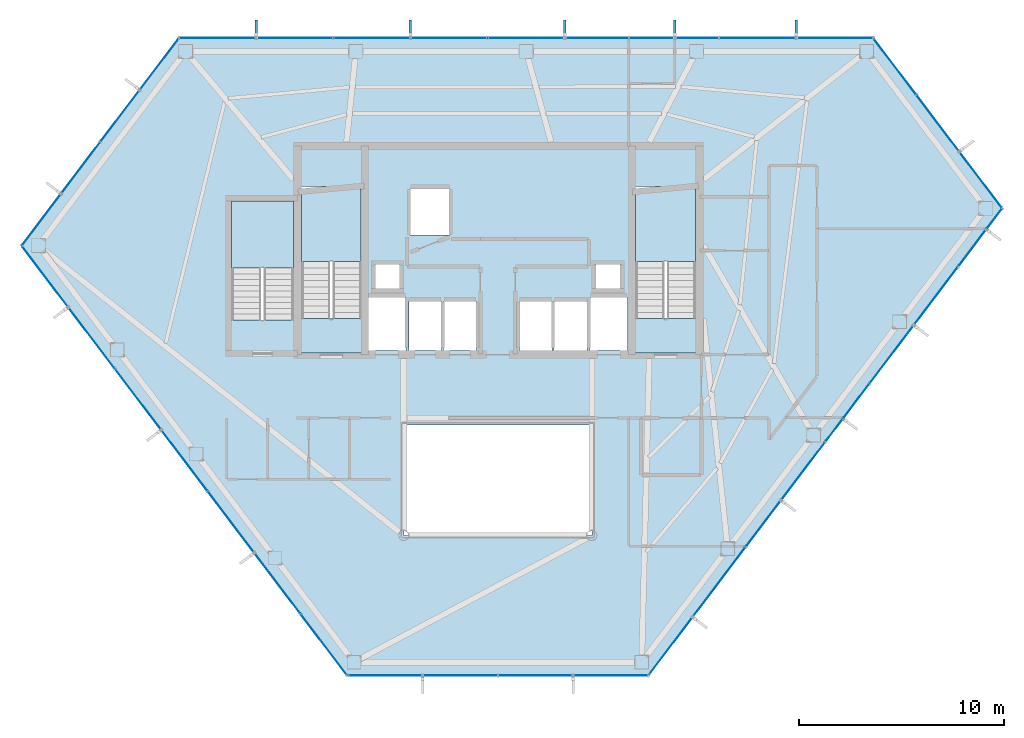
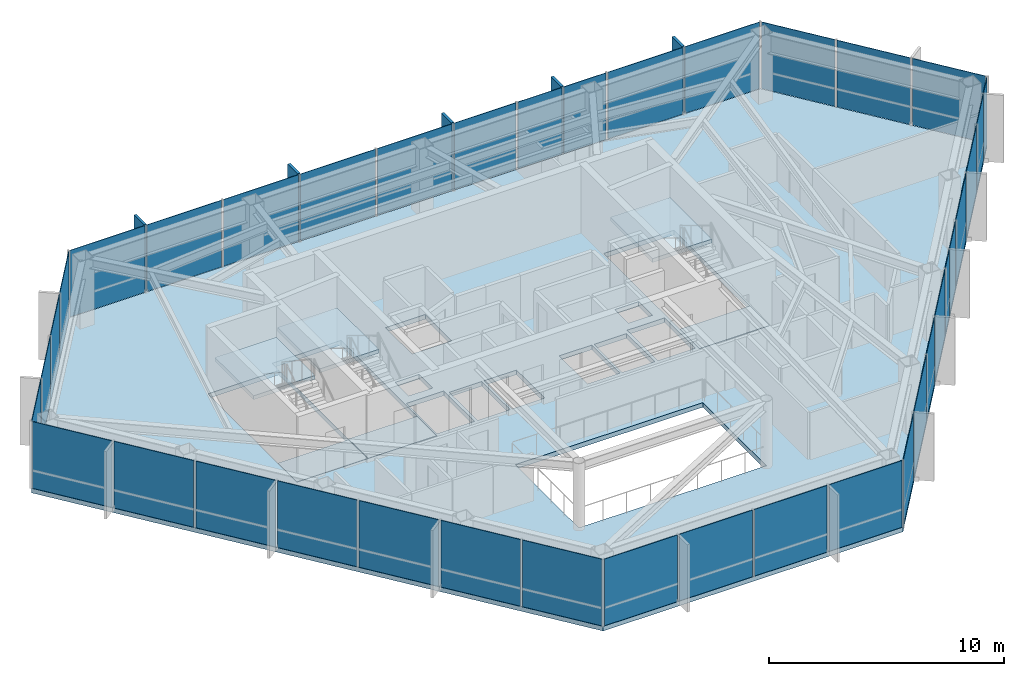
# One storey, part 23 of 27: 38 plates, 7 slabs, 5 members, 9 elements without a shape of their own.
"""IFC4 building model written with IfcOpenShell, lengths in metres."""

from ifc_helpers import new_model, si_unit, direction, frame, origin, origin_2d, place, context, subcontext, project, spatial, polyline, rectangle, outline, extrude, material, layer, layer_set, material_profile, profile_set, type_object, element, aggregate, save


model = new_model("IFC4")

# Units and contexts
model_context = context("Model", 3, precision=1e-05, world=origin(), true_north=direction((0.0, 1.0)))
body_context = subcontext(model_context, "Body", "Model", "MODEL_VIEW")
ifc_project = project(units=[si_unit("LENGTHUNIT", "METRE"), si_unit("AREAUNIT", "SQUARE_METRE"), si_unit("VOLUMEUNIT", "CUBIC_METRE"), si_unit("PLANEANGLEUNIT", "RADIAN"), si_unit("MASSUNIT", "GRAM", prefix="KILO")], contexts=[model_context])

# Site, building, storey
site_placement = place(None, origin())
site = spatial("IfcSite", under=ifc_project, at=site_placement, CompositionType="ELEMENT")
building_placement = place(site_placement, origin())
building = spatial("IfcBuilding", under=site, at=building_placement, Name="Zarrinselat Tower", CompositionType="ELEMENT")
storey_placement = place(building_placement, frame((0.0, 0.0, 175.780029296875)))
storey = spatial("IfcBuildingStorey", under=building, at=storey_placement, Name="L43", CompositionType="ELEMENT", Elevation=175.780029296875)

# Curtain wall, members, plates
ifc_material_1 = material(Name="Extruded Aluminium Alloy EN AW-6063 T6", Category="aluminium")
ifc_layer_1 = layer(ifc_material_1, 0.175048828125)
ifc_layer_set_1 = layer_set([ifc_layer_1], Name="Extruded Aluminium Alloy EN AW-6063 T6")
curtain_wall_type = type_object("IfcCurtainWallType", Name="CWS-HTL", PredefinedType="NOTDEFINED", material=ifc_layer_set_1)
curtain_wall_1_placement = place(storey_placement, origin())
curtain_wall_1 = element("IfcCurtainWall", 1, at=curtain_wall_1_placement, inside=storey, type_object=curtain_wall_type, Name="L43 Unitised Curtain Wall CW-L43-E01", PredefinedType="NOTDEFINED")
ifc_material_2 = material(Name="Honed Cream Travertine Stone", Category="masonry")
ifc_material_profile = material_profile(ifc_material_2, rectangle(XDim=0.1201171875, YDim=0.85009765625, at=origin_2d()), Name="FIN 850x120")
ifc_profile_set = profile_set([ifc_material_profile], Name="Honed Cream Travertine Stone")
member_type = type_object("IfcMemberType", Name="MEM-STONE-FIN", PredefinedType="USERDEFINED", material=ifc_profile_set)
member_1_placement = place(storey_placement, frame((52.98681640625, 49.18212890625, 0.0), z_axis=(0.0, 0.0, 1.0), x_axis=(1.0, 0.0, 0.0)))
member_1 = element("IfcMember", 2, at=member_1_placement, type_object=member_type, Name="L43 Stone Shading Fin CW-L43-E01-01", ObjectType="FIN", PredefinedType="USERDEFINED", context=body_context, shape_type="SweptSolid", body=[
    extrude(rectangle(XDim=0.1201171875, YDim=0.85009765625, at=origin_2d()), origin(), (0.0, 0.0, 1.0), 3.5),
])
member_2_placement = place(storey_placement, frame((47.050048828125, 49.18212890625, 0.0), z_axis=(0.0, 0.0, 1.0), x_axis=(1.0, 0.0, 0.0)))
member_2 = element("IfcMember", 3, at=member_2_placement, type_object=member_type, Name="L43 Stone Shading Fin CW-L43-E01-03", ObjectType="FIN", PredefinedType="USERDEFINED", context=body_context, shape_type="SweptSolid", body=[
    extrude(rectangle(XDim=0.1201171875, YDim=0.85009765625, at=origin_2d()), origin(), (0.0, 0.0, 1.0), 3.5),
])
member_3_placement = place(storey_placement, frame((41.67041015625, 49.18212890625, 0.0), z_axis=(0.0, 0.0, 1.0), x_axis=(1.0, 0.0, 0.0)))
member_3 = element("IfcMember", 4, at=member_3_placement, type_object=member_type, Name="L43 Stone Shading Fin CW-L43-E01-05", ObjectType="FIN", PredefinedType="USERDEFINED", context=body_context, shape_type="SweptSolid", body=[
    extrude(rectangle(XDim=0.1201171875, YDim=0.85009765625, at=origin_2d()), origin(), (0.0, 0.0, 1.0), 3.5),
])
member_4_placement = place(storey_placement, frame((34.126220703125, 49.18212890625, 0.0), z_axis=(0.0, 0.0, 1.0), x_axis=(1.0, 0.0, 0.0)))
member_4 = element("IfcMember", 5, at=member_4_placement, type_object=member_type, Name="L43 Stone Shading Fin CW-L43-E01-07", ObjectType="FIN", PredefinedType="USERDEFINED", context=body_context, shape_type="SweptSolid", body=[
    extrude(rectangle(XDim=0.1201171875, YDim=0.85009765625, at=origin_2d()), origin(), (0.0, 0.0, 1.0), 3.5),
])
member_5_placement = place(storey_placement, frame((26.58203125, 49.18212890625, 0.0), z_axis=(0.0, 0.0, 1.0), x_axis=(1.0, 0.0, 0.0)))
member_5 = element("IfcMember", 6, at=member_5_placement, type_object=member_type, Name="L43 Stone Shading Fin CW-L43-E01-09", ObjectType="FIN", PredefinedType="USERDEFINED", context=body_context, shape_type="SweptSolid", body=[
    extrude(rectangle(XDim=0.1201171875, YDim=0.85009765625, at=origin_2d()), origin(), (0.0, 0.0, 1.0), 3.5),
])
ifc_material_3 = material(Name="Double Low-E Laminated Solar Glass", Category="glass")
ifc_layer_2 = layer(ifc_material_3, 0.028076171875)
ifc_layer_set_2 = layer_set([ifc_layer_2], Name="Double Low-E Laminated Solar Glass")
plate_type = type_object("IfcPlateType", Name="PLT-CW-GL28", PredefinedType="CURTAIN_PANEL", material=ifc_layer_set_2)
plate_1_placement = place(storey_placement, frame((54.872802734375, 48.72216796875, 0.02001953125), z_axis=(0.0, 0.0, 1.0), x_axis=(-1.0, 0.0, 0.0)))
plate_1 = element("IfcPlate", 7, at=plate_1_placement, type_object=plate_type, Name="CW-L43-E01 Vision Glass Panel 1", PredefinedType="CURTAIN_PANEL", context=body_context, shape_type="SweptSolid", body=[
    extrude(rectangle(XDim=3.672119140625, YDim=0.028076171875, at=origin_2d()), origin(), (0.0, 0.0, 1.0), 3.4599609375),
])
plate_2_placement = place(storey_placement, frame((51.1005859375, 48.72216796875, 0.02001953125), z_axis=(0.0, 0.0, 1.0), x_axis=(-1.0, 0.0, 0.0)))
plate_2 = element("IfcPlate", 8, at=plate_2_placement, type_object=plate_type, Name="CW-L43-E01 Vision Glass Panel 2", PredefinedType="CURTAIN_PANEL", context=body_context, shape_type="SweptSolid", body=[
    extrude(rectangle(XDim=3.672119140625, YDim=0.028076171875, at=origin_2d()), origin(), (0.0, 0.0, 1.0), 3.4599609375),
])
plate_3_placement = place(storey_placement, frame((48.13232421875, 48.72216796875, 0.02001953125), z_axis=(0.0, 0.0, 1.0), x_axis=(-1.0, 0.0, 0.0)))
plate_3 = element("IfcPlate", 9, at=plate_3_placement, type_object=plate_type, Name="CW-L43-E01 Vision Glass Panel 3", PredefinedType="CURTAIN_PANEL", context=body_context, shape_type="SweptSolid", body=[
    extrude(rectangle(XDim=2.064697265625, YDim=0.028076171875, at=origin_2d()), origin(), (0.0, 0.0, 1.0), 3.4599609375),
])
plate_4_placement = place(storey_placement, frame((45.925048828125, 48.72216796875, 0.02001953125), z_axis=(0.0, 0.0, 1.0), x_axis=(-1.0, 0.0, 0.0)))
plate_4 = element("IfcPlate", 10, at=plate_4_placement, type_object=plate_type, Name="CW-L43-E01 Vision Glass Panel 4", PredefinedType="CURTAIN_PANEL", context=body_context, shape_type="SweptSolid", body=[
    extrude(rectangle(XDim=2.14990234375, YDim=0.028076171875, at=origin_2d()), origin(), (0.0, 0.0, 1.0), 3.4599609375),
])
plate_5_placement = place(storey_placement, frame((43.235107421875, 48.72216796875, 0.02001953125), z_axis=(0.0, 0.0, 1.0), x_axis=(-1.0, 0.0, 0.0)))
plate_5 = element("IfcPlate", 11, at=plate_5_placement, type_object=plate_type, Name="CW-L43-E01 Vision Glass Panel 5", PredefinedType="CURTAIN_PANEL", context=body_context, shape_type="SweptSolid", body=[
    extrude(rectangle(XDim=3.029541015625, YDim=0.028076171875, at=origin_2d()), origin(), (0.0, 0.0, 1.0), 3.4599609375),
])
plate_6_placement = place(storey_placement, frame((39.784423828125, 48.72216796875, 0.02001953125), z_axis=(0.0, 0.0, 1.0), x_axis=(-1.0, 0.0, 0.0)))
plate_6 = element("IfcPlate", 12, at=plate_6_placement, type_object=plate_type, Name="CW-L43-E01 Vision Glass Panel 6", PredefinedType="CURTAIN_PANEL", context=body_context, shape_type="SweptSolid", body=[
    extrude(rectangle(XDim=3.672119140625, YDim=0.028076171875, at=origin_2d()), origin(), (0.0, 0.0, 1.0), 3.4599609375),
])
plate_7_placement = place(storey_placement, frame((36.01220703125, 48.72216796875, 0.02001953125), z_axis=(0.0, 0.0, 1.0), x_axis=(-1.0, 0.0, 0.0)))
plate_7 = element("IfcPlate", 13, at=plate_7_placement, type_object=plate_type, Name="CW-L43-E01 Vision Glass Panel 7", PredefinedType="CURTAIN_PANEL", context=body_context, shape_type="SweptSolid", body=[
    extrude(rectangle(XDim=3.672119140625, YDim=0.028076171875, at=origin_2d()), origin(), (0.0, 0.0, 1.0), 3.4599609375),
])
plate_8_placement = place(storey_placement, frame((32.239990234375, 48.72216796875, 0.02001953125), z_axis=(0.0, 0.0, 1.0), x_axis=(-1.0, 0.0, 0.0)))
plate_8 = element("IfcPlate", 14, at=plate_8_placement, type_object=plate_type, Name="CW-L43-E01 Vision Glass Panel 8", PredefinedType="CURTAIN_PANEL", context=body_context, shape_type="SweptSolid", body=[
    extrude(rectangle(XDim=3.672119140625, YDim=0.028076171875, at=origin_2d()), origin(), (0.0, 0.0, 1.0), 3.4599609375),
])
plate_9_placement = place(storey_placement, frame((28.468017578125, 48.72216796875, 0.02001953125), z_axis=(0.0, 0.0, 1.0), x_axis=(-1.0, 0.0, 0.0)))
plate_9 = element("IfcPlate", 15, at=plate_9_placement, type_object=plate_type, Name="CW-L43-E01 Vision Glass Panel 9", PredefinedType="CURTAIN_PANEL", context=body_context, shape_type="SweptSolid", body=[
    extrude(rectangle(XDim=3.672119140625, YDim=0.028076171875, at=origin_2d()), origin(), (0.0, 0.0, 1.0), 3.4599609375),
])
plate_10_placement = place(storey_placement, frame((24.696044921875, 48.72216796875, 0.02001953125), z_axis=(0.0, 0.0, 1.0), x_axis=(-1.0, 0.0, 0.0)))
plate_10 = element("IfcPlate", 16, at=plate_10_placement, type_object=plate_type, Name="CW-L43-E01 Vision Glass Panel 10", PredefinedType="CURTAIN_PANEL", context=body_context, shape_type="SweptSolid", body=[
    extrude(rectangle(XDim=3.672119140625, YDim=0.028076171875, at=origin_2d()), origin(), (0.0, 0.0, 1.0), 3.4599609375),
])
aggregate(curtain_wall_1, [member_1, member_2, member_3, member_4, member_5, plate_1, plate_2, plate_3, plate_4, plate_5, plate_6, plate_7, plate_8, plate_9, plate_10])

# Curtain wall, plates
curtain_wall_2_placement = place(storey_placement, origin())
curtain_wall_2 = element("IfcCurtainWall", 17, at=curtain_wall_2_placement, inside=storey, type_object=curtain_wall_type, Name="L43 Unitised Curtain Wall CW-L43-E02", PredefinedType="NOTDEFINED")
plate_11_placement = place(storey_placement, frame((21.8486328125, 47.453369140625, 0.02001953125), z_axis=(0.0, 0.0, 1.0), x_axis=(-0.603859048702, -0.797091117314, 0.0)))
plate_11 = element("IfcPlate", 18, at=plate_11_placement, type_object=plate_type, Name="CW-L43-E02 Vision Glass Panel 1", PredefinedType="CURTAIN_PANEL", context=body_context, shape_type="SweptSolid", body=[
    extrude(rectangle(XDim=3.08349609375, YDim=0.028076171875, at=origin_2d()), origin(), (0.0, 0.0, 1.0), 3.4599609375),
])
plate_12_placement = place(storey_placement, frame((19.92626953125, 44.915771484375, 0.02001953125), z_axis=(0.0, 0.0, 1.0), x_axis=(-0.603859048702, -0.797091117314, 0.0)))
plate_12 = element("IfcPlate", 19, at=plate_12_placement, type_object=plate_type, Name="CW-L43-E02 Vision Glass Panel 2", PredefinedType="CURTAIN_PANEL", context=body_context, shape_type="SweptSolid", body=[
    extrude(rectangle(XDim=3.08349609375, YDim=0.028076171875, at=origin_2d()), origin(), (0.0, 0.0, 1.0), 3.4599609375),
])
plate_13_placement = place(storey_placement, frame((18.00390625, 42.378173828125, 0.02001953125), z_axis=(0.0, 0.0, 1.0), x_axis=(-0.603859048702, -0.797091117314, 0.0)))
plate_13 = element("IfcPlate", 20, at=plate_13_placement, type_object=plate_type, Name="CW-L43-E02 Vision Glass Panel 3", PredefinedType="CURTAIN_PANEL", context=body_context, shape_type="SweptSolid", body=[
    extrude(rectangle(XDim=3.08349609375, YDim=0.028076171875, at=origin_2d()), origin(), (0.0, 0.0, 1.0), 3.4599609375),
])
plate_14_placement = place(storey_placement, frame((16.081298828125, 39.840576171875, 0.02001953125), z_axis=(0.0, 0.0, 1.0), x_axis=(-0.603859048702, -0.797091117314, 0.0)))
plate_14 = element("IfcPlate", 21, at=plate_14_placement, type_object=plate_type, Name="CW-L43-E02 Vision Glass Panel 4", PredefinedType="CURTAIN_PANEL", context=body_context, shape_type="SweptSolid", body=[
    extrude(rectangle(XDim=3.08349609375, YDim=0.028076171875, at=origin_2d()), origin(), (0.0, 0.0, 1.0), 3.4599609375),
])
aggregate(curtain_wall_2, [plate_11, plate_12, plate_13, plate_14])

curtain_wall_3_placement = place(storey_placement, origin())
curtain_wall_3 = element("IfcCurtainWall", 22, at=curtain_wall_3_placement, inside=storey, type_object=curtain_wall_type, Name="L43 Unitised Curtain Wall CW-L43-E03", PredefinedType="NOTDEFINED")
plate_15_placement = place(storey_placement, frame((16.25732421875, 37.070556640625, 0.02001953125), z_axis=(0.0, 0.0, 1.0), x_axis=(0.603857322892, -0.797092424748, 0.0)))
plate_15 = element("IfcPlate", 23, at=plate_15_placement, type_object=plate_type, Name="CW-L43-E03 Vision Glass Panel 1", PredefinedType="CURTAIN_PANEL", context=body_context, shape_type="SweptSolid", body=[
    extrude(rectangle(XDim=3.66650390625, YDim=0.028076171875, at=origin_2d()), origin(), (0.0, 0.0, 1.0), 3.4599609375),
])
plate_16_placement = place(storey_placement, frame((18.53173828125, 34.068115234375, 0.02001953125), z_axis=(0.0, 0.0, 1.0), x_axis=(0.603857322892, -0.797092424748, 0.0)))
plate_16 = element("IfcPlate", 24, at=plate_16_placement, type_object=plate_type, Name="CW-L43-E03 Vision Glass Panel 2", PredefinedType="CURTAIN_PANEL", context=body_context, shape_type="SweptSolid", body=[
    extrude(rectangle(XDim=3.66650390625, YDim=0.028076171875, at=origin_2d()), origin(), (0.0, 0.0, 1.0), 3.4599609375),
])
plate_17_placement = place(storey_placement, frame((20.806396484375, 31.06591796875, 0.02001953125), z_axis=(0.0, 0.0, 1.0), x_axis=(0.603857322892, -0.797092424748, 0.0)))
plate_17 = element("IfcPlate", 25, at=plate_17_placement, type_object=plate_type, Name="CW-L43-E03 Vision Glass Panel 3", PredefinedType="CURTAIN_PANEL", context=body_context, shape_type="SweptSolid", body=[
    extrude(rectangle(XDim=3.66650390625, YDim=0.028076171875, at=origin_2d()), origin(), (0.0, 0.0, 1.0), 3.4599609375),
])
plate_18_placement = place(storey_placement, frame((23.080810546875, 28.0634765625, 0.02001953125), z_axis=(0.0, 0.0, 1.0), x_axis=(0.603857322892, -0.797092424748, 0.0)))
plate_18 = element("IfcPlate", 26, at=plate_18_placement, type_object=plate_type, Name="CW-L43-E03 Vision Glass Panel 4", PredefinedType="CURTAIN_PANEL", context=body_context, shape_type="SweptSolid", body=[
    extrude(rectangle(XDim=3.66650390625, YDim=0.028076171875, at=origin_2d()), origin(), (0.0, 0.0, 1.0), 3.4599609375),
])
plate_19_placement = place(storey_placement, frame((25.355224609375, 25.061279296875, 0.02001953125), z_axis=(0.0, 0.0, 1.0), x_axis=(0.603857322892, -0.797092424748, 0.0)))
plate_19 = element("IfcPlate", 27, at=plate_19_placement, type_object=plate_type, Name="CW-L43-E03 Vision Glass Panel 5", PredefinedType="CURTAIN_PANEL", context=body_context, shape_type="SweptSolid", body=[
    extrude(rectangle(XDim=3.66650390625, YDim=0.028076171875, at=origin_2d()), origin(), (0.0, 0.0, 1.0), 3.4599609375),
])
plate_20_placement = place(storey_placement, frame((27.6298828125, 22.058837890625, 0.02001953125), z_axis=(0.0, 0.0, 1.0), x_axis=(0.603857322892, -0.797092424748, 0.0)))
plate_20 = element("IfcPlate", 28, at=plate_20_placement, type_object=plate_type, Name="CW-L43-E03 Vision Glass Panel 6", PredefinedType="CURTAIN_PANEL", context=body_context, shape_type="SweptSolid", body=[
    extrude(rectangle(XDim=3.66650390625, YDim=0.028076171875, at=origin_2d()), origin(), (0.0, 0.0, 1.0), 3.4599609375),
])
plate_21_placement = place(storey_placement, frame((29.904296875, 19.056396484375, 0.02001953125), z_axis=(0.0, 0.0, 1.0), x_axis=(0.603857322892, -0.797092424748, 0.0)))
plate_21 = element("IfcPlate", 29, at=plate_21_placement, type_object=plate_type, Name="CW-L43-E03 Vision Glass Panel 7", PredefinedType="CURTAIN_PANEL", context=body_context, shape_type="SweptSolid", body=[
    extrude(rectangle(XDim=3.66650390625, YDim=0.028076171875, at=origin_2d()), origin(), (0.0, 0.0, 1.0), 3.4599609375),
])
aggregate(curtain_wall_3, [plate_15, plate_16, plate_17, plate_18, plate_19, plate_20, plate_21])

curtain_wall_4_placement = place(storey_placement, origin())
curtain_wall_4 = element("IfcCurtainWall", 30, at=curtain_wall_4_placement, inside=storey, type_object=curtain_wall_type, Name="L43 Unitised Curtain Wall CW-L43-E04", PredefinedType="NOTDEFINED")
plate_22_placement = place(storey_placement, frame((32.881103515625, 17.555419921875, 0.02001953125), z_axis=(0.0, 0.0, 1.0), x_axis=(1.0, 0.0, 0.0)))
plate_22 = element("IfcPlate", 31, at=plate_22_placement, type_object=plate_type, Name="CW-L43-E04 Vision Glass Panel 1", PredefinedType="CURTAIN_PANEL", context=body_context, shape_type="SweptSolid", body=[
    extrude(rectangle(XDim=3.5791015625, YDim=0.028076171875, at=origin_2d()), origin(), (0.0, 0.0, 1.0), 3.4599609375),
])
plate_23_placement = place(storey_placement, frame((36.560302734375, 17.555419921875, 0.02001953125), z_axis=(0.0, 0.0, 1.0), x_axis=(1.0, 0.0, 0.0)))
plate_23 = element("IfcPlate", 32, at=plate_23_placement, type_object=plate_type, Name="CW-L43-E04 Vision Glass Panel 2", PredefinedType="CURTAIN_PANEL", context=body_context, shape_type="SweptSolid", body=[
    extrude(rectangle(XDim=3.5791015625, YDim=0.028076171875, at=origin_2d()), origin(), (0.0, 0.0, 1.0), 3.4599609375),
])
plate_24_placement = place(storey_placement, frame((40.239501953125, 17.555419921875, 0.02001953125), z_axis=(0.0, 0.0, 1.0), x_axis=(1.0, 0.0, 0.0)))
plate_24 = element("IfcPlate", 33, at=plate_24_placement, type_object=plate_type, Name="CW-L43-E04 Vision Glass Panel 3", PredefinedType="CURTAIN_PANEL", context=body_context, shape_type="SweptSolid", body=[
    extrude(rectangle(XDim=3.5791015625, YDim=0.028076171875, at=origin_2d()), origin(), (0.0, 0.0, 1.0), 3.4599609375),
])
plate_25_placement = place(storey_placement, frame((43.918701171875, 17.555419921875, 0.02001953125), z_axis=(0.0, 0.0, 1.0), x_axis=(1.0, 0.0, 0.0)))
plate_25 = element("IfcPlate", 34, at=plate_25_placement, type_object=plate_type, Name="CW-L43-E04 Vision Glass Panel 4", PredefinedType="CURTAIN_PANEL", context=body_context, shape_type="SweptSolid", body=[
    extrude(rectangle(XDim=3.5791015625, YDim=0.028076171875, at=origin_2d()), origin(), (0.0, 0.0, 1.0), 3.4599609375),
])
aggregate(curtain_wall_4, [plate_22, plate_23, plate_24, plate_25])

curtain_wall_5_placement = place(storey_placement, origin())
curtain_wall_5 = element("IfcCurtainWall", 35, at=curtain_wall_5_placement, inside=storey, type_object=curtain_wall_type, Name="L43 Unitised Curtain Wall CW-L43-E05", PredefinedType="NOTDEFINED")
plate_26_placement = place(storey_placement, frame((46.840087890625, 18.98291015625, 0.02001953125), z_axis=(0.0, 0.0, 1.0), x_axis=(0.603859165965, 0.797091028478, 0.0)))
plate_26 = element("IfcPlate", 36, at=plate_26_placement, type_object=plate_type, Name="CW-L43-E05 Vision Glass Panel 1", PredefinedType="CURTAIN_PANEL", context=body_context, shape_type="SweptSolid", body=[
    extrude(rectangle(XDim=3.482421875, YDim=0.028076171875, at=origin_2d()), origin(), (0.0, 0.0, 1.0), 3.4599609375),
])
plate_27_placement = place(storey_placement, frame((49.222900390625, 22.128662109375, 0.02001953125), z_axis=(0.0, 0.0, 1.0), x_axis=(0.603859165965, 0.797091028478, 0.0)))
plate_27 = element("IfcPlate", 37, at=plate_27_placement, type_object=plate_type, Name="CW-L43-E05 Vision Glass Panel 2", PredefinedType="CURTAIN_PANEL", context=body_context, shape_type="SweptSolid", body=[
    extrude(rectangle(XDim=4.210205078125, YDim=0.028076171875, at=origin_2d()), origin(), (0.0, 0.0, 1.0), 3.4599609375),
])
plate_28_placement = place(storey_placement, frame((51.38623046875, 24.98388671875, 0.02001953125), z_axis=(0.0, 0.0, 1.0), x_axis=(0.603859165965, 0.797091028478, 0.0)))
plate_28 = element("IfcPlate", 38, at=plate_28_placement, type_object=plate_type, Name="CW-L43-E05 Vision Glass Panel 3", PredefinedType="CURTAIN_PANEL", context=body_context, shape_type="SweptSolid", body=[
    extrude(rectangle(XDim=2.75439453125, YDim=0.028076171875, at=origin_2d()), origin(), (0.0, 0.0, 1.0), 3.4599609375),
])
plate_29_placement = place(storey_placement, frame((53.32958984375, 27.54931640625, 0.02001953125), z_axis=(0.0, 0.0, 1.0), x_axis=(0.603859165965, 0.797091028478, 0.0)))
plate_29 = element("IfcPlate", 39, at=plate_29_placement, type_object=plate_type, Name="CW-L43-E05 Vision Glass Panel 4", PredefinedType="CURTAIN_PANEL", context=body_context, shape_type="SweptSolid", body=[
    extrude(rectangle(XDim=3.482421875, YDim=0.028076171875, at=origin_2d()), origin(), (0.0, 0.0, 1.0), 3.4599609375),
])
plate_30_placement = place(storey_placement, frame((54.841796875, 29.54541015625, 0.02001953125), z_axis=(0.0, 0.0, 1.0), x_axis=(0.603859165965, 0.797091028478, 0.0)))
plate_30 = element("IfcPlate", 40, at=plate_30_placement, type_object=plate_type, Name="CW-L43-E05 Vision Glass Panel 5", PredefinedType="CURTAIN_PANEL", context=body_context, shape_type="SweptSolid", body=[
    extrude(rectangle(XDim=1.325927734375, YDim=0.028076171875, at=origin_2d()), origin(), (0.0, 0.0, 1.0), 3.4599609375),
])
plate_31_placement = place(storey_placement, frame((55.923583984375, 30.97314453125, 0.02001953125), z_axis=(0.0, 0.0, 1.0), x_axis=(0.603859165965, 0.797091028478, 0.0)))
plate_31 = element("IfcPlate", 41, at=plate_31_placement, type_object=plate_type, Name="CW-L43-E05 Vision Glass Panel 6", PredefinedType="CURTAIN_PANEL", context=body_context, shape_type="SweptSolid", body=[
    extrude(rectangle(XDim=2.056396484375, YDim=0.028076171875, at=origin_2d()), origin(), (0.0, 0.0, 1.0), 3.4599609375),
])
plate_32_placement = place(storey_placement, frame((57.65625, 33.26025390625, 0.02001953125), z_axis=(0.0, 0.0, 1.0), x_axis=(0.603859165965, 0.797091028478, 0.0)))
plate_32 = element("IfcPlate", 42, at=plate_32_placement, type_object=plate_type, Name="CW-L43-E05 Vision Glass Panel 7", PredefinedType="CURTAIN_PANEL", context=body_context, shape_type="SweptSolid", body=[
    extrude(rectangle(XDim=3.482421875, YDim=0.028076171875, at=origin_2d()), origin(), (0.0, 0.0, 1.0), 3.4599609375),
])
plate_33_placement = place(storey_placement, frame((59.8193359375, 36.11572265625, 0.02001953125), z_axis=(0.0, 0.0, 1.0), x_axis=(0.603859165965, 0.797091028478, 0.0)))
plate_33 = element("IfcPlate", 43, at=plate_33_placement, type_object=plate_type, Name="CW-L43-E05 Vision Glass Panel 8", PredefinedType="CURTAIN_PANEL", context=body_context, shape_type="SweptSolid", body=[
    extrude(rectangle(XDim=3.482421875, YDim=0.028076171875, at=origin_2d()), origin(), (0.0, 0.0, 1.0), 3.4599609375),
])
plate_34_placement = place(storey_placement, frame((61.593017578125, 38.456787109375, 0.02001953125), z_axis=(0.0, 0.0, 1.0), x_axis=(0.603859165965, 0.797091028478, 0.0)))
plate_34 = element("IfcPlate", 44, at=plate_34_placement, type_object=plate_type, Name="CW-L43-E05 Vision Glass Panel 9", PredefinedType="CURTAIN_PANEL", context=body_context, shape_type="SweptSolid", body=[
    extrude(rectangle(XDim=2.191162109375, YDim=0.028076171875, at=origin_2d()), origin(), (0.0, 0.0, 1.0), 3.4599609375),
])
plate_35_placement = place(storey_placement, frame((62.674560546875, 39.884521484375, 0.02001953125), z_axis=(0.0, 0.0, 1.0), x_axis=(0.603859165965, 0.797091028478, 0.0)))
plate_35 = element("IfcPlate", 45, at=plate_35_placement, type_object=plate_type, Name="CW-L43-E05 Vision Glass Panel 10", PredefinedType="CURTAIN_PANEL", context=body_context, shape_type="SweptSolid", body=[
    extrude(rectangle(XDim=1.191162109375, YDim=0.028076171875, at=origin_2d()), origin(), (0.0, 0.0, 1.0), 3.4599609375),
])
aggregate(curtain_wall_5, [plate_26, plate_27, plate_28, plate_29, plate_30, plate_31, plate_32, plate_33, plate_34, plate_35])

curtain_wall_6_placement = place(storey_placement, origin())
curtain_wall_6 = element("IfcCurtainWall", 46, at=curtain_wall_6_placement, inside=storey, type_object=curtain_wall_type, Name="L43 Unitised Curtain Wall CW-L43-E06", PredefinedType="NOTDEFINED")
plate_36_placement = place(storey_placement, frame((62.013427734375, 41.7861328125, 0.02001953125), z_axis=(0.0, 0.0, 1.0), x_axis=(-0.603860453729, 0.797090052893, 0.0)))
plate_36 = element("IfcPlate", 47, at=plate_36_placement, type_object=plate_type, Name="CW-L43-E06 Vision Glass Panel 1", PredefinedType="CURTAIN_PANEL", context=body_context, shape_type="SweptSolid", body=[
    extrude(rectangle(XDim=3.380615234375, YDim=0.028076171875, at=origin_2d()), origin(), (0.0, 0.0, 1.0), 3.4599609375),
])
plate_37_placement = place(storey_placement, frame((59.91162109375, 44.560546875, 0.02001953125), z_axis=(0.0, 0.0, 1.0), x_axis=(-0.603860453729, 0.797090052893, 0.0)))
plate_37 = element("IfcPlate", 48, at=plate_37_placement, type_object=plate_type, Name="CW-L43-E06 Vision Glass Panel 2", PredefinedType="CURTAIN_PANEL", context=body_context, shape_type="SweptSolid", body=[
    extrude(rectangle(XDim=3.380615234375, YDim=0.028076171875, at=origin_2d()), origin(), (0.0, 0.0, 1.0), 3.4599609375),
])
plate_38_placement = place(storey_placement, frame((57.809814453125, 47.3349609375, 0.02001953125), z_axis=(0.0, 0.0, 1.0), x_axis=(-0.603860453729, 0.797090052893, 0.0)))
plate_38 = element("IfcPlate", 49, at=plate_38_placement, type_object=plate_type, Name="CW-L43-E06 Vision Glass Panel 3", PredefinedType="CURTAIN_PANEL", context=body_context, shape_type="SweptSolid", body=[
    extrude(rectangle(XDim=3.380615234375, YDim=0.028076171875, at=origin_2d()), origin(), (0.0, 0.0, 1.0), 3.4599609375),
])
aggregate(curtain_wall_6, [plate_36, plate_37, plate_38])

# Slabs
ifc_material_4 = material(Name="Concrete C40/50", Category="concrete")
ifc_layer_3 = layer(ifc_material_4, 0.239990234375)
ifc_layer_set_3 = layer_set([ifc_layer_3], Name="Concrete C40/50")
slab_type_1 = type_object("IfcSlabType", Name="SLB-FLOOR-240-SL-HT240", PredefinedType="FLOOR", material=ifc_layer_set_3)
slab_1_placement = place(storey_placement, frame((0.0, 0.0, -0.239990234375)))
element("IfcSlab", 50, at=slab_1_placement, inside=storey, type_object=slab_type_1, Name="L43 Primary Structural Slab", PredefinedType="FLOOR", context=body_context, shape_type="SweptSolid", body=[
    extrude(outline(polyline([(56.7587890625, 48.72216796875), (22.809814453125, 48.72216796875), (15.1201171875, 38.57177734375), (31.04150390625, 17.555419921875), (45.75830078125, 17.555419921875), (63.064208984375, 40.39892578125), (56.7587890625, 48.72216796875)]), holes=[polyline([(35.64990234375, 33.449951171875), (34.050048828125, 33.449951171875), (34.050048828125, 35.85009765625), (35.64990234375, 35.85009765625), (35.64990234375, 33.449951171875)]), polyline([(35.75, 33.449951171875), (35.75, 35.85009765625), (37.35009765625, 35.85009765625), (37.35009765625, 33.449951171875), (35.75, 33.449951171875)]), polyline([(32.06005859375, 33.449951171875), (32.06005859375, 36.050048828125), (33.89990234375, 36.050048828125), (33.89990234375, 33.449951171875), (32.06005859375, 33.449951171875)]), polyline([(33.60009765625, 36.47998046875), (32.419921875, 36.47998046875), (32.419921875, 37.639892578125), (33.60009765625, 37.639892578125), (33.60009765625, 36.47998046875)]), polyline([(28.594970703125, 33.324951171875), (25.114990234375, 33.324951171875), (25.114990234375, 40.875), (28.594970703125, 40.875), (28.594970703125, 33.324951171875)]), polyline([(31.985107421875, 33.324951171875), (28.60498046875, 33.324951171875), (28.60498046875, 41.47509765625), (31.985107421875, 41.47509765625), (31.985107421875, 33.324951171875)]), polyline([(36.050048828125, 39.10009765625), (34.10009765625, 39.10009765625), (34.10009765625, 41.35009765625), (36.050048828125, 41.35009765625), (36.050048828125, 39.10009765625)]), polyline([(33.800048828125, 24.39990234375), (33.800048828125, 29.800048828125), (43.0, 29.800048828125), (43.0, 24.39990234375), (33.800048828125, 24.39990234375)]), polyline([(39.449951171875, 33.449951171875), (39.449951171875, 35.85009765625), (41.050048828125, 35.85009765625), (41.050048828125, 33.449951171875), (39.449951171875, 33.449951171875)]), polyline([(41.14990234375, 33.449951171875), (41.14990234375, 35.85009765625), (42.75, 35.85009765625), (42.75, 33.449951171875), (41.14990234375, 33.449951171875)]), polyline([(42.89990234375, 33.449951171875), (42.89990234375, 36.050048828125), (44.739990234375, 36.050048828125), (44.739990234375, 33.449951171875), (42.89990234375, 33.449951171875)]), polyline([(43.199951171875, 36.47998046875), (43.199951171875, 37.639892578125), (44.3798828125, 37.639892578125), (44.3798828125, 36.47998046875), (43.199951171875, 36.47998046875)]), polyline([(48.324951171875, 33.324951171875), (44.875, 33.324951171875), (44.875, 41.47509765625), (48.324951171875, 41.47509765625), (48.324951171875, 33.324951171875)])]), origin(), (0.0, 0.0, 1.0), 0.239990234375),
])
slab_2_placement = place(storey_placement, frame((0.0, 0.0, -0.239990234375)))
element("IfcSlab", 51, at=slab_2_placement, inside=storey, type_object=slab_type_1, Name="L43 Stair ST-1-FL1 Structural Floor Landing", PredefinedType="FLOOR", context=body_context, shape_type="SweptSolid", body=[
    extrude(outline(polyline([(31.97998046875, 33.330078125), (31.97998046875, 35.0), (28.610107421875, 35.0), (28.610107421875, 33.330078125), (31.97998046875, 33.330078125)])), origin(), (0.0, 0.0, 1.0), 0.239990234375),
])
slab_3_placement = place(storey_placement, frame((0.0, 0.0, -0.239990234375)))
element("IfcSlab", 52, at=slab_3_placement, inside=storey, type_object=slab_type_1, Name="L43 Stair ST-2-FL1 Structural Floor Landing", PredefinedType="FLOOR", context=body_context, shape_type="SweptSolid", body=[
    extrude(outline(polyline([(48.320068359375, 33.330078125), (48.320068359375, 35.0), (44.8798828125, 35.0), (44.8798828125, 33.330078125), (48.320068359375, 33.330078125)])), origin(), (0.0, 0.0, 1.0), 0.239990234375),
])
slab_4_placement = place(storey_placement, frame((0.0, 0.0, -0.239990234375)))
element("IfcSlab", 53, at=slab_4_placement, inside=storey, type_object=slab_type_1, Name="L43 Stair ST-3-FL1 Structural Floor Landing", PredefinedType="FLOOR", context=body_context, shape_type="SweptSolid", body=[
    extrude(outline(polyline([(28.590087890625, 33.330078125), (28.590087890625, 34.949951171875), (25.1201171875, 34.949951171875), (25.1201171875, 33.330078125), (28.590087890625, 33.330078125)])), origin(), (0.0, 0.0, 1.0), 0.239990234375),
])

# Stair, slab
ifc_material_5 = material(Name="Concrete C40/50", Category="concrete")
stair_type_1 = type_object("IfcStairType", Name="STR-CORE-145", PredefinedType="HALF_TURN_STAIR", material=ifc_material_5)
stair_1_placement = place(storey_placement, origin())
stair_1 = element("IfcStair", 54, at=stair_1_placement, inside=storey, type_object=stair_type_1, Name="L43 Podium & Mid-Tower Exit Stair 3", PredefinedType="HALF_TURN_STAIR")
ifc_material_6 = material(Name="Concrete C40/50", Category="concrete")
ifc_layer_4 = layer(ifc_material_6, 0.1650390625)
ifc_layer_set_4 = layer_set([ifc_layer_4], Name="Concrete C40/50")
slab_type_2 = type_object("IfcSlabType", Name="SLB-LND-165", PredefinedType="LANDING", material=ifc_layer_set_4)
slab_5_placement = place(storey_placement, frame((0.0, 0.0, 1.669921875)))
slab_5 = element("IfcSlab", 55, at=slab_5_placement, type_object=slab_type_2, Name="ST-3 landing 1", PredefinedType="LANDING", context=body_context, shape_type="SweptSolid", body=[
    extrude(outline(polyline([(28.39990234375, 37.469970703125), (28.39990234375, 40.75), (25.3798828125, 40.75), (25.3798828125, 37.469970703125), (28.39990234375, 37.469970703125)])), origin(), (0.0, 0.0, 1.0), 0.199951171875),
])
aggregate(stair_1, [slab_5])

ifc_material_7 = material(Name="Concrete C40/50", Category="concrete")
stair_type_2 = type_object("IfcStairType", Name="STR-CORE-155", PredefinedType="HALF_TURN_STAIR", material=ifc_material_7)
stair_2_placement = place(storey_placement, origin())
stair_2 = element("IfcStair", 56, at=stair_2_placement, inside=storey, type_object=stair_type_2, Name="L43 Core Exit Stair 1", PredefinedType="HALF_TURN_STAIR")
ifc_material_8 = material(Name="Concrete C40/50", Category="concrete")
ifc_layer_5 = layer(ifc_material_8, 0.18994140625)
ifc_layer_set_5 = layer_set([ifc_layer_5], Name="Concrete C40/50")
slab_type_3 = type_object("IfcSlabType", Name="SLB-LND-190", PredefinedType="LANDING", material=ifc_layer_set_5)
slab_6_placement = place(storey_placement, frame((0.0, 0.0, 1.669921875)))
slab_6 = element("IfcSlab", 57, at=slab_6_placement, type_object=slab_type_3, Name="ST-1 landing 1", PredefinedType="LANDING", context=body_context, shape_type="SweptSolid", body=[
    extrude(outline(polyline([(31.719970703125, 37.7900390625), (31.719970703125, 41.35009765625), (28.800048828125, 41.35009765625), (28.800048828125, 37.7900390625), (31.719970703125, 37.7900390625)])), origin(), (0.0, 0.0, 1.0), 0.199951171875),
])
aggregate(stair_2, [slab_6])

stair_3_placement = place(storey_placement, origin())
stair_3 = element("IfcStair", 58, at=stair_3_placement, inside=storey, type_object=stair_type_2, Name="L43 Core Exit Stair 2", PredefinedType="HALF_TURN_STAIR")
slab_7_placement = place(storey_placement, frame((0.0, 0.0, 1.669921875)))
slab_7 = element("IfcSlab", 59, at=slab_7_placement, type_object=slab_type_3, Name="ST-2 landing 1", PredefinedType="LANDING", context=body_context, shape_type="SweptSolid", body=[
    extrude(outline(polyline([(48.06005859375, 37.7900390625), (48.06005859375, 41.35009765625), (45.139892578125, 41.35009765625), (45.139892578125, 37.7900390625), (48.06005859375, 37.7900390625)])), origin(), (0.0, 0.0, 1.0), 0.199951171875),
])
aggregate(stair_3, [slab_7])

save(model, "model.ifc")
